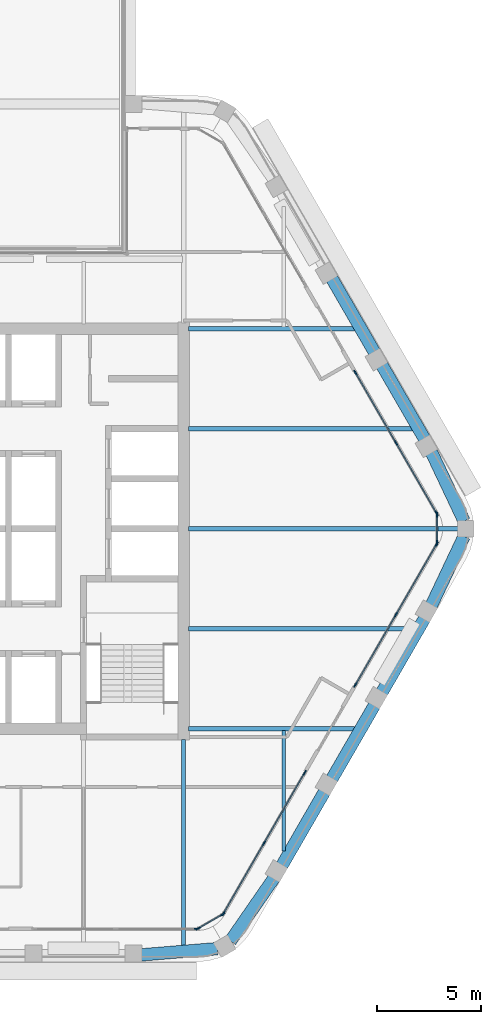
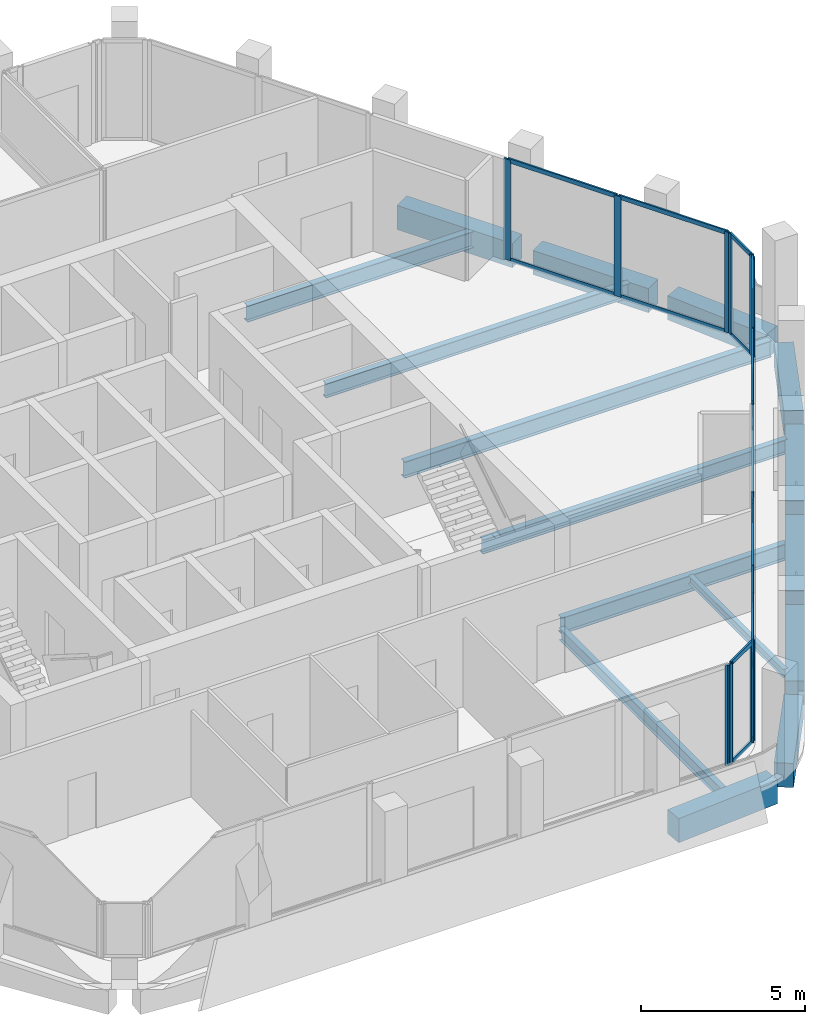
# One storey, part 4 of 16: 30 members, 16 beams, 6 elements without a shape of their own.
"""IFC4 building model written with IfcOpenShell, lengths in metres."""

from ifc_helpers import new_model, si_unit, direction, frame, origin, origin_2d, place, context, subcontext, project, spatial, rectangle, i_section, extrude, material, material_profile, profile_set, type_object, element, aggregate, save


model = new_model("IFC4")

# Units and contexts
model_context = context("Model", 3, precision=1e-05, world=origin(), true_north=direction((0.0, 1.0)))
body_context = subcontext(model_context, "Body", "Model", "MODEL_VIEW")
ifc_project = project(units=[si_unit("LENGTHUNIT", "METRE"), si_unit("AREAUNIT", "SQUARE_METRE"), si_unit("VOLUMEUNIT", "CUBIC_METRE"), si_unit("PLANEANGLEUNIT", "RADIAN"), si_unit("MASSUNIT", "GRAM", prefix="KILO")], contexts=[model_context])

# Site, building, storey
site_placement = place(None, origin())
site = spatial("IfcSite", under=ifc_project, at=site_placement, CompositionType="ELEMENT")
building_placement = place(site_placement, origin())
building = spatial("IfcBuilding", under=site, at=building_placement, Name="Kolab Exchange Tower", CompositionType="ELEMENT")
storey_placement = place(building_placement, frame((0.0, 0.0, 269.60009765625)))
storey = spatial("IfcBuildingStorey", under=building, at=storey_placement, Name="L60", CompositionType="ELEMENT", Elevation=269.60009765625)

# Beams
ifc_material_1 = material(Name="Steel S355", Category="steel")
ifc_material_profile_1 = material_profile(ifc_material_1, i_section(OverallWidth=0.1650390625, OverallDepth=0.31005859375, WebThickness=0.005859375, FlangeThickness=0.009765625, at=origin_2d()), Name="W310X39")
ifc_profile_set_1 = profile_set([ifc_material_profile_1], Name="Steel S355")
beam_type_1 = type_object("IfcBeamType", Name="FLOOR BEAM W310X39", PredefinedType="BEAM", material=ifc_profile_set_1)
beam_1_placement = place(storey_placement, frame((14.39990234375, -15.4677734375, -0.30517578125), z_axis=(0.0, 1.0, 0.0), x_axis=(-1.0, 0.0, 0.0)))
element("IfcBeam", 1, at=beam_1_placement, inside=storey, type_object=beam_type_1, Name="beam/L60/fr/018", PredefinedType="BEAM", context=body_context, shape_type="SweptSolid", body=[
    extrude(i_section(OverallWidth=0.1650390625, OverallDepth=0.31005859375, WebThickness=0.005859375, FlangeThickness=0.009765625, at=origin_2d()), origin(), (0.0, 0.0, 1.0), 5.793701171875),
])
ifc_material_profile_2 = material_profile(ifc_material_1, i_section(OverallWidth=0.18994140625, OverallDepth=0.45703125, WebThickness=0.009033203125, FlangeThickness=0.014404296875, at=origin_2d()), Name="W460X74")
ifc_profile_set_2 = profile_set([ifc_material_profile_2], Name="Steel S355")
beam_type_2 = type_object("IfcBeamType", Name="FLOOR BEAM W460X74", PredefinedType="BEAM", material=ifc_profile_set_2)
beam_2_placement = place(storey_placement, frame((9.60009765625, -20.027099609375, -0.378662109375), z_axis=(0.0, 1.0, 0.0), x_axis=(-1.0, 0.0, 0.0)))
element("IfcBeam", 2, at=beam_2_placement, inside=storey, type_object=beam_type_2, Name="beam/L60/fr/013", PredefinedType="BEAM", context=body_context, shape_type="SweptSolid", body=[
    extrude(i_section(OverallWidth=0.18994140625, OverallDepth=0.45703125, WebThickness=0.009033203125, FlangeThickness=0.014404296875, at=origin_2d()), origin(), (0.0, 0.0, 1.0), 9.9169921875),
])
ifc_material_profile_3 = material_profile(ifc_material_1, i_section(OverallWidth=0.208984375, OverallDepth=0.532958984375, WebThickness=0.01025390625, FlangeThickness=0.015625, at=origin_2d()), Name="W530X92")
ifc_profile_set_3 = profile_set([ifc_material_profile_3], Name="Steel S355")
beam_type_3 = type_object("IfcBeamType", Name="FLOOR BEAM W530X92", PredefinedType="BEAM", material=ifc_profile_set_3)
for number, where, z_axis, x_axis, name in (
    (3, (9.8349609375, -4.800048828125, -0.41650390625), (1.0, 0.0, 0.0), (0.0, 1.0, 0.0), "beam/L60/fr/015"),
    (4, (9.8349609375, 4.800048828125, -0.41650390625), (1.0, 0.0, 0.0), (0.0, 1.0, 0.0), "beam/L60/fr/017"),
):
    element("IfcBeam", number, at=place(storey_placement, frame(where, z_axis=z_axis, x_axis=x_axis)), inside=storey, type_object=beam_type_3, Name=name, PredefinedType="BEAM", context=body_context, shape_type="SweptSolid", body=[
        extrude(i_section(OverallWidth=0.208984375, OverallDepth=0.532958984375, WebThickness=0.01025390625, FlangeThickness=0.015625, at=origin_2d()), origin(), (0.0, 0.0, 1.0), 10.740966796875),
    ])
ifc_material_profile_4 = material_profile(ifc_material_1, i_section(OverallWidth=0.22802734375, OverallDepth=0.60791015625, WebThickness=0.01123046875, FlangeThickness=0.017333984375, at=origin_2d()), Name="W610X113")
ifc_profile_set_4 = profile_set([ifc_material_profile_4], Name="Steel S355")
beam_type_4 = type_object("IfcBeamType", Name="FLOOR BEAM W610X113", PredefinedType="BEAM", material=ifc_profile_set_4)
beam_3_placement = place(storey_placement, frame((9.8349609375, 0.0, -0.4541015625), z_axis=(1.0, 0.0, 0.0), x_axis=(0.0, 1.0, 0.0)))
element("IfcBeam", 5, at=beam_3_placement, inside=storey, type_object=beam_type_4, Name="beam/L60/fr/016", PredefinedType="BEAM", context=body_context, shape_type="SweptSolid", body=[
    extrude(i_section(OverallWidth=0.22802734375, OverallDepth=0.60791015625, WebThickness=0.01123046875, FlangeThickness=0.017333984375, at=origin_2d()), origin(), (0.0, 0.0, 1.0), 12.94091796875),
])
ifc_material_profile_5 = material_profile(ifc_material_1, i_section(OverallWidth=0.22802734375, OverallDepth=0.60791015625, WebThickness=0.01123046875, FlangeThickness=0.017333984375, at=origin_2d()), Name="W610X113")
ifc_profile_set_5 = profile_set([ifc_material_profile_5], Name="Steel S355")
beam_type_5 = type_object("IfcBeamType", Name="FLOOR GIRDER W610X113", PredefinedType="BEAM", material=ifc_profile_set_5)
for number, where, z_axis, x_axis, name in (
    (6, (9.8349609375, -9.60009765625, -0.4541015625), (1.0, 0.0, 0.0), (0.0, 1.0, 0.0), "beam/L60/gd/002"),
    (7, (9.8349609375, 9.60009765625, -0.4541015625), (1.0, 0.0, 0.0), (0.0, 1.0, 0.0), "beam/L60/gd/003"),
):
    element("IfcBeam", number, at=place(storey_placement, frame(where, z_axis=z_axis, x_axis=x_axis)), inside=storey, type_object=beam_type_5, Name=name, PredefinedType="BEAM", context=body_context, shape_type="SweptSolid", body=[
        extrude(i_section(OverallWidth=0.22802734375, OverallDepth=0.60791015625, WebThickness=0.01123046875, FlangeThickness=0.017333984375, at=origin_2d()), origin(), (0.0, 0.0, 1.0), 7.9697265625),
    ])
ifc_material_2 = material(Name="Concrete C50/60", Category="concrete")
ifc_material_profile_6 = material_profile(ifc_material_2, rectangle(XDim=0.60009765625, YDim=0.89990234375, at=origin_2d()), Name="RC600X900")
ifc_profile_set_6 = profile_set([ifc_material_profile_6], Name="Concrete C50/60")
beam_type_6 = type_object("IfcBeamType", Name="SPANDREL BEAM 600X900 C50/60", PredefinedType="BEAM", material=ifc_profile_set_6)
for number, where, z_axis, x_axis, name in (
    (8, (16.72021484375, 12.009033203125, -0.60009765625), (0.500000428765, -0.866025156237, 0.0), (0.866025156237, 0.500000428765, 0.0), "beam/L60/sp/F2-03"),
    (9, (19.1201171875, 7.85205078125, -0.60009765625), (0.500000428765, -0.866025156237, 0.0), (0.866025156237, 0.500000428765, 0.0), "beam/L60/sp/F2-04"),
):
    element("IfcBeam", number, at=place(storey_placement, frame(where, z_axis=z_axis, x_axis=x_axis)), inside=storey, type_object=beam_type_6, Name=name, PredefinedType="BEAM", context=body_context, shape_type="SweptSolid", body=[
        extrude(rectangle(XDim=0.60009765625, YDim=0.89990234375, at=origin_2d()), origin(), (0.0, 0.0, 1.0), 4.080078125),
    ])
for number, where, z_axis, x_axis, name in (
    (10, (21.49462890625, 3.68017578125, -0.60009765625), (0.427677251998, -0.903931506323, 0.0), (0.903931506323, 0.427677251998, 0.0), "beam/L60/sp/F2-05"),
    (11, (23.063720703125, -0.36376953125, -0.60009765625), (-0.427677251998, -0.903931506323, 0.0), (0.903931506323, -0.427677251998, 0.0), "beam/L60/sp/F3-01"),
):
    element("IfcBeam", number, at=place(storey_placement, frame(where, z_axis=z_axis, x_axis=x_axis)), inside=storey, type_object=beam_type_6, Name=name, PredefinedType="BEAM", context=body_context, shape_type="SweptSolid", body=[
        extrude(rectangle(XDim=0.60009765625, YDim=0.89990234375, at=origin_2d()), origin(), (0.0, 0.0, 1.0), 3.6689453125),
    ])
for number, where, z_axis, x_axis, name in (
    (12, (21.16015625, -4.318603515625, -0.60009765625), (-0.500000428765, -0.866025156237, 0.0), (0.866025156237, -0.500000428765, 0.0), "beam/L60/sp/F3-02"),
    (13, (18.76025390625, -8.4755859375, -0.60009765625), (-0.500000428765, -0.866025156237, 0.0), (0.866025156237, -0.500000428765, 0.0), "beam/L60/sp/F3-03"),
):
    element("IfcBeam", number, at=place(storey_placement, frame(where, z_axis=z_axis, x_axis=x_axis)), inside=storey, type_object=beam_type_6, Name=name, PredefinedType="BEAM", context=body_context, shape_type="SweptSolid", body=[
        extrude(rectangle(XDim=0.60009765625, YDim=0.89990234375, at=origin_2d()), origin(), (0.0, 0.0, 1.0), 4.080078125),
    ])
beam_4_placement = place(storey_placement, frame((16.360107421875, -12.632568359375, -0.60009765625), z_axis=(-0.499955548806, -0.866051066172, 0.0), x_axis=(0.866051066172, -0.499955548806, 0.0)))
element("IfcBeam", 14, at=beam_4_placement, inside=storey, type_object=beam_type_6, Name="beam/L60/sp/F3-04", PredefinedType="BEAM", context=body_context, shape_type="SweptSolid", body=[
    extrude(rectangle(XDim=0.60009765625, YDim=0.89990234375, at=origin_2d()), origin(), (0.0, 0.0, 1.0), 4.079833984375),
])
for number, where, z_axis, x_axis, name in (
    (15, (13.9345703125, -16.77490234375, -0.60009765625), (-0.569005808573, -0.822333502789, 0.0), (0.822333502789, -0.569005808573, 0.0), "beam/L60/sp/F3-05"),
    (16, (11.216796875, -20.15576171875, -0.60009765625), (-0.996666751878, -0.081580547323, 0.0), (0.081580547323, -0.996666751878, 0.0), "beam/L60/sp/F4-01"),
):
    element("IfcBeam", number, at=place(storey_placement, frame(where, z_axis=z_axis, x_axis=x_axis)), inside=storey, type_object=beam_type_6, Name=name, PredefinedType="BEAM", context=body_context, shape_type="SweptSolid", body=[
        extrude(rectangle(XDim=0.60009765625, YDim=0.89990234375, at=origin_2d()), origin(), (0.0, 0.0, 1.0), 3.6689453125),
    ])

# Curtain wall, members
ifc_material_3 = material(Name="Aluminium EN AW-6063 T6", Category="aluminium")
curtain_wall_type = type_object("IfcCurtainWallType", Name="UNITISED HIGH ZONE CURTAIN WALL", PredefinedType="NOTDEFINED", material=ifc_material_3)
curtain_wall_1_placement = place(storey_placement, origin())
curtain_wall_1 = element("IfcCurtainWall", 17, at=curtain_wall_1_placement, inside=storey, type_object=curtain_wall_type, Name="cw/L60/F2-2", PredefinedType="NOTDEFINED")
ifc_material_profile_7 = material_profile(ifc_material_3, rectangle(XDim=0.06005859375, YDim=0.239990234375, at=origin_2d()), Name="RECT 60X240")
ifc_profile_set_7 = profile_set([ifc_material_profile_7], Name="Aluminium EN AW-6063 T6")
member_type_1 = type_object("IfcMemberType", Name="UNITISED HIGH ZONE MULLION 60 X 240", PredefinedType="MULLION", material=ifc_profile_set_7)
member_1_placement = place(storey_placement, frame((17.8466796875, 7.497802734375, 0.0), z_axis=(0.0, 0.0, 1.0), x_axis=(0.866025440524, 0.499999936366, 0.0)))
member_1 = element("IfcMember", 18, at=member_1_placement, type_object=member_type_1, Name="CW4 mullion 1", PredefinedType="MULLION", context=body_context, shape_type="SweptSolid", body=[
    extrude(rectangle(XDim=0.06005859375, YDim=0.239990234375, at=origin_2d()), origin(), (0.0, 0.0, 1.0), 3.75),
])
member_2_placement = place(storey_placement, frame((19.798583984375, 4.116943359375, 0.0), z_axis=(0.0, 0.0, 1.0), x_axis=(0.866025440524, 0.499999936366, 0.0)))
member_2 = element("IfcMember", 19, at=member_2_placement, type_object=member_type_1, Name="CW4 mullion 2", PredefinedType="MULLION", context=body_context, shape_type="SweptSolid", body=[
    extrude(rectangle(XDim=0.06005859375, YDim=0.239990234375, at=origin_2d()), origin(), (0.0, 0.0, 1.0), 3.75),
])
member_3_placement = place(storey_placement, frame((21.750732421875, 0.736083984375, 0.0), z_axis=(0.0, 0.0, 1.0), x_axis=(0.866025440524, 0.499999936366, 0.0)))
member_3 = element("IfcMember", 20, at=member_3_placement, type_object=member_type_1, Name="CW4 mullion 3", PredefinedType="MULLION", context=body_context, shape_type="SweptSolid", body=[
    extrude(rectangle(XDim=0.06005859375, YDim=0.239990234375, at=origin_2d()), origin(), (0.0, 0.0, 1.0), 3.75),
])

curtain_wall_2_placement = place(storey_placement, origin())
curtain_wall_2 = element("IfcCurtainWall", 21, at=curtain_wall_2_placement, inside=storey, type_object=curtain_wall_type, Name="cw/L60/F3-1", PredefinedType="NOTDEFINED")
member_4_placement = place(storey_placement, frame((21.750732421875, -0.736083984375, 0.0), z_axis=(0.0, 0.0, 1.0), x_axis=(0.866025440524, -0.499999936366, 0.0)))
member_4 = element("IfcMember", 22, at=member_4_placement, type_object=member_type_1, Name="CW4 mullion 1", PredefinedType="MULLION", context=body_context, shape_type="SweptSolid", body=[
    extrude(rectangle(XDim=0.06005859375, YDim=0.239990234375, at=origin_2d()), origin(), (0.0, 0.0, 1.0), 3.75),
])
member_5_placement = place(storey_placement, frame((19.798583984375, -4.116943359375, 0.0), z_axis=(0.0, 0.0, 1.0), x_axis=(0.866025440524, -0.499999936366, 0.0)))
member_5 = element("IfcMember", 23, at=member_5_placement, type_object=member_type_1, Name="CW4 mullion 2", PredefinedType="MULLION", context=body_context, shape_type="SweptSolid", body=[
    extrude(rectangle(XDim=0.06005859375, YDim=0.239990234375, at=origin_2d()), origin(), (0.0, 0.0, 1.0), 3.75),
])
member_6_placement = place(storey_placement, frame((17.8466796875, -7.497802734375, 0.0), z_axis=(0.0, 0.0, 1.0), x_axis=(0.866025440524, -0.499999936366, 0.0)))
member_6 = element("IfcMember", 24, at=member_6_placement, type_object=member_type_1, Name="CW4 mullion 3", PredefinedType="MULLION", context=body_context, shape_type="SweptSolid", body=[
    extrude(rectangle(XDim=0.06005859375, YDim=0.239990234375, at=origin_2d()), origin(), (0.0, 0.0, 1.0), 3.75),
])

curtain_wall_3_placement = place(storey_placement, origin())
curtain_wall_3 = element("IfcCurtainWall", 25, at=curtain_wall_3_placement, inside=storey, type_object=curtain_wall_type, Name="cw/L60/F3-2", PredefinedType="NOTDEFINED")
member_7_placement = place(storey_placement, frame((15.416748046875, -11.706787109375, 0.0), z_axis=(0.0, 0.0, 1.0), x_axis=(0.866025385493, -0.500000031681, 0.0)))
member_7 = element("IfcMember", 26, at=member_7_placement, type_object=member_type_1, Name="CW4 mullion 1", PredefinedType="MULLION", context=body_context, shape_type="SweptSolid", body=[
    extrude(rectangle(XDim=0.06005859375, YDim=0.239990234375, at=origin_2d()), origin(), (0.0, 0.0, 1.0), 3.75),
])
member_8_placement = place(storey_placement, frame((13.464599609375, -15.087646484375, 0.0), z_axis=(0.0, 0.0, 1.0), x_axis=(0.866025385493, -0.500000031681, 0.0)))
member_8 = element("IfcMember", 27, at=member_8_placement, type_object=member_type_1, Name="CW4 mullion 2", PredefinedType="MULLION", context=body_context, shape_type="SweptSolid", body=[
    extrude(rectangle(XDim=0.06005859375, YDim=0.239990234375, at=origin_2d()), origin(), (0.0, 0.0, 1.0), 3.75),
])
member_9_placement = place(storey_placement, frame((11.5126953125, -18.46875, 0.0), z_axis=(0.0, 0.0, 1.0), x_axis=(0.866025385493, -0.500000031681, 0.0)))
member_9 = element("IfcMember", 28, at=member_9_placement, type_object=member_type_1, Name="CW4 mullion 3", PredefinedType="MULLION", context=body_context, shape_type="SweptSolid", body=[
    extrude(rectangle(XDim=0.06005859375, YDim=0.239990234375, at=origin_2d()), origin(), (0.0, 0.0, 1.0), 3.75),
])

# Curtain wall, member
curtain_wall_4_placement = place(storey_placement, origin())
curtain_wall_4 = element("IfcCurtainWall", 29, at=curtain_wall_4_placement, inside=storey, type_object=curtain_wall_type, Name="cw/L60/F4-1", PredefinedType="NOTDEFINED")
member_10_placement = place(storey_placement, frame((10.238037109375, -19.20458984375, 0.0), z_axis=(0.0, 0.0, 1.0), x_axis=(0.0, -1.0, 0.0)))
member_10 = element("IfcMember", 30, at=member_10_placement, type_object=member_type_1, Name="CW4 mullion 1", PredefinedType="MULLION", context=body_context, shape_type="SweptSolid", body=[
    extrude(rectangle(XDim=0.06005859375, YDim=0.239990234375, at=origin_2d()), origin(), (0.0, 0.0, 1.0), 3.75),
])
aggregate(curtain_wall_4, [member_10])

# Curtain wall, members
curtain_wall_5_placement = place(storey_placement, origin())
curtain_wall_5 = element("IfcCurtainWall", 31, at=curtain_wall_5_placement, inside=storey, type_object=curtain_wall_type, Name="cw/L60/F2F3-corner", PredefinedType="NOTDEFINED")
member_11_placement = place(storey_placement, frame((21.765625, 0.679931640625, 0.0), z_axis=(0.0, 0.0, 1.0), x_axis=(1.0, 0.0, 0.0)))
member_11 = element("IfcMember", 32, at=member_11_placement, type_object=member_type_1, Name="CW4 mullion 1", PredefinedType="MULLION", context=body_context, shape_type="SweptSolid", body=[
    extrude(rectangle(XDim=0.06005859375, YDim=0.239990234375, at=origin_2d()), origin(), (0.0, 0.0, 1.0), 3.75),
])
member_12_placement = place(storey_placement, frame((21.765625, -0.679931640625, 0.0), z_axis=(0.0, 0.0, 1.0), x_axis=(1.0, 0.0, 0.0)))
member_12 = element("IfcMember", 33, at=member_12_placement, type_object=member_type_1, Name="CW4 mullion 2", PredefinedType="MULLION", context=body_context, shape_type="SweptSolid", body=[
    extrude(rectangle(XDim=0.06005859375, YDim=0.239990234375, at=origin_2d()), origin(), (0.0, 0.0, 1.0), 3.75),
])

curtain_wall_6_placement = place(storey_placement, origin())
curtain_wall_6 = element("IfcCurtainWall", 34, at=curtain_wall_6_placement, inside=storey, type_object=curtain_wall_type, Name="cw/L60/F3F4-corner", PredefinedType="NOTDEFINED")
member_13_placement = place(storey_placement, frame((11.4716796875, -18.509521484375, 0.0), z_axis=(0.0, 0.0, 1.0), x_axis=(0.50000002237, -0.866025390869, 0.0)))
member_13 = element("IfcMember", 35, at=member_13_placement, type_object=member_type_1, Name="CW4 mullion 1", PredefinedType="MULLION", context=body_context, shape_type="SweptSolid", body=[
    extrude(rectangle(XDim=0.06005859375, YDim=0.239990234375, at=origin_2d()), origin(), (0.0, 0.0, 1.0), 3.75),
])
member_14_placement = place(storey_placement, frame((10.2939453125, -19.189697265625, 0.0), z_axis=(0.0, 0.0, 1.0), x_axis=(0.50000002237, -0.866025390869, 0.0)))
member_14 = element("IfcMember", 36, at=member_14_placement, type_object=member_type_1, Name="CW4 mullion 2", PredefinedType="MULLION", context=body_context, shape_type="SweptSolid", body=[
    extrude(rectangle(XDim=0.06005859375, YDim=0.239990234375, at=origin_2d()), origin(), (0.0, 0.0, 1.0), 3.75),
])

# Member
ifc_material_profile_8 = material_profile(ifc_material_3, rectangle(XDim=0.06005859375, YDim=0.159912109375, at=origin_2d()), Name="RECT 60X160")
ifc_profile_set_8 = profile_set([ifc_material_profile_8], Name="Aluminium EN AW-6063 T6")
member_type_2 = type_object("IfcMemberType", Name="UNITISED HIGH ZONE TRANSOM 60 X 160", PredefinedType="USERDEFINED", material=ifc_profile_set_8)
member_15_placement = place(storey_placement, frame((17.861572265625, 7.471923828125, 0.02978515625), z_axis=(0.500011990396, -0.866018481016, 0.0), x_axis=(0.866018481016, 0.500011990396, 0.0)))
member_15 = element("IfcMember", 37, at=member_15_placement, type_object=member_type_2, Name="CW4 transom 1.1", ObjectType="TRANSOM", PredefinedType="USERDEFINED", context=body_context, shape_type="SweptSolid", body=[
    extrude(rectangle(XDim=0.06005859375, YDim=0.159912109375, at=origin_2d()), origin(), (0.0, 0.0, 1.0), 3.84423828125),
])

member_16_placement = place(storey_placement, frame((17.861572265625, 7.471923828125, 3.719970703125), z_axis=(0.500011990396, -0.866018481016, 0.0), x_axis=(0.866018481016, 0.500011990396, 0.0)))
member_16 = element("IfcMember", 38, at=member_16_placement, type_object=member_type_2, Name="CW4 transom 1.2", ObjectType="TRANSOM", PredefinedType="USERDEFINED", context=body_context, shape_type="SweptSolid", body=[
    extrude(rectangle(XDim=0.06005859375, YDim=0.159912109375, at=origin_2d()), origin(), (0.0, 0.0, 1.0), 3.84423828125),
])

member_17_placement = place(storey_placement, frame((19.813720703125, 4.0908203125, 0.02978515625), z_axis=(0.499991857942, -0.866030104553, 0.0), x_axis=(0.866030104553, 0.499991857942, 0.0)))
member_17 = element("IfcMember", 39, at=member_17_placement, type_object=member_type_2, Name="CW4 transom 2.1", ObjectType="TRANSOM", PredefinedType="USERDEFINED", context=body_context, shape_type="SweptSolid", body=[
    extrude(rectangle(XDim=0.06005859375, YDim=0.159912109375, at=origin_2d()), origin(), (0.0, 0.0, 1.0), 3.84375),
])

member_18_placement = place(storey_placement, frame((19.813720703125, 4.0908203125, 3.719970703125), z_axis=(0.499991857942, -0.866030104553, 0.0), x_axis=(0.866030104553, 0.499991857942, 0.0)))
member_18 = element("IfcMember", 40, at=member_18_placement, type_object=member_type_2, Name="CW4 transom 2.2", ObjectType="TRANSOM", PredefinedType="USERDEFINED", context=body_context, shape_type="SweptSolid", body=[
    extrude(rectangle(XDim=0.06005859375, YDim=0.159912109375, at=origin_2d()), origin(), (0.0, 0.0, 1.0), 3.84375),
])

aggregate(curtain_wall_1, [member_1, member_2, member_3, member_15, member_16, member_17, member_18])

member_19_placement = place(storey_placement, frame((21.735595703125, -0.761962890625, 0.02978515625), z_axis=(-0.499991857942, -0.866030104553, 0.0), x_axis=(0.866030104553, -0.499991857942, 0.0)))
member_19 = element("IfcMember", 41, at=member_19_placement, type_object=member_type_2, Name="CW4 transom 1.1", ObjectType="TRANSOM", PredefinedType="USERDEFINED", context=body_context, shape_type="SweptSolid", body=[
    extrude(rectangle(XDim=0.06005859375, YDim=0.159912109375, at=origin_2d()), origin(), (0.0, 0.0, 1.0), 3.84375),
])

member_20_placement = place(storey_placement, frame((21.735595703125, -0.761962890625, 3.719970703125), z_axis=(-0.499991857942, -0.866030104553, 0.0), x_axis=(0.866030104553, -0.499991857942, 0.0)))
member_20 = element("IfcMember", 42, at=member_20_placement, type_object=member_type_2, Name="CW4 transom 1.2", ObjectType="TRANSOM", PredefinedType="USERDEFINED", context=body_context, shape_type="SweptSolid", body=[
    extrude(rectangle(XDim=0.06005859375, YDim=0.159912109375, at=origin_2d()), origin(), (0.0, 0.0, 1.0), 3.84375),
])

member_21_placement = place(storey_placement, frame((19.78369140625, -4.142822265625, 0.02978515625), z_axis=(-0.500011990396, -0.866018481016, 0.0), x_axis=(0.866018481016, -0.500011990396, 0.0)))
member_21 = element("IfcMember", 43, at=member_21_placement, type_object=member_type_2, Name="CW4 transom 2.1", ObjectType="TRANSOM", PredefinedType="USERDEFINED", context=body_context, shape_type="SweptSolid", body=[
    extrude(rectangle(XDim=0.06005859375, YDim=0.159912109375, at=origin_2d()), origin(), (0.0, 0.0, 1.0), 3.84423828125),
])

member_22_placement = place(storey_placement, frame((19.78369140625, -4.142822265625, 3.719970703125), z_axis=(-0.500011990396, -0.866018481016, 0.0), x_axis=(0.866018481016, -0.500011990396, 0.0)))
member_22 = element("IfcMember", 44, at=member_22_placement, type_object=member_type_2, Name="CW4 transom 2.2", ObjectType="TRANSOM", PredefinedType="USERDEFINED", context=body_context, shape_type="SweptSolid", body=[
    extrude(rectangle(XDim=0.06005859375, YDim=0.159912109375, at=origin_2d()), origin(), (0.0, 0.0, 1.0), 3.84423828125),
])

aggregate(curtain_wall_2, [member_4, member_5, member_6, member_19, member_20, member_21, member_22])

member_23_placement = place(storey_placement, frame((15.401611328125, -11.732666015625, 0.02978515625), z_axis=(-0.499964356602, -0.866045981532, 0.0), x_axis=(0.866045981532, -0.499964356602, 0.0)))
member_23 = element("IfcMember", 45, at=member_23_placement, type_object=member_type_2, Name="CW4 transom 1.1", ObjectType="TRANSOM", PredefinedType="USERDEFINED", context=body_context, shape_type="SweptSolid", body=[
    extrude(rectangle(XDim=0.06005859375, YDim=0.159912109375, at=origin_2d()), origin(), (0.0, 0.0, 1.0), 3.843994140625),
])

member_24_placement = place(storey_placement, frame((15.401611328125, -11.732666015625, 3.719970703125), z_axis=(-0.499964356602, -0.866045981532, 0.0), x_axis=(0.866045981532, -0.499964356602, 0.0)))
member_24 = element("IfcMember", 46, at=member_24_placement, type_object=member_type_2, Name="CW4 transom 1.2", ObjectType="TRANSOM", PredefinedType="USERDEFINED", context=body_context, shape_type="SweptSolid", body=[
    extrude(rectangle(XDim=0.06005859375, YDim=0.159912109375, at=origin_2d()), origin(), (0.0, 0.0, 1.0), 3.843994140625),
])

member_25_placement = place(storey_placement, frame((13.44970703125, -15.11376953125, 0.02978515625), z_axis=(-0.500039492609, -0.866002601515, 0.0), x_axis=(0.866002601515, -0.500039492609, 0.0)))
member_25 = element("IfcMember", 47, at=member_25_placement, type_object=member_type_2, Name="CW4 transom 2.1", ObjectType="TRANSOM", PredefinedType="USERDEFINED", context=body_context, shape_type="SweptSolid", body=[
    extrude(rectangle(XDim=0.06005859375, YDim=0.159912109375, at=origin_2d()), origin(), (0.0, 0.0, 1.0), 3.843994140625),
])

member_26_placement = place(storey_placement, frame((13.44970703125, -15.11376953125, 3.719970703125), z_axis=(-0.500039492609, -0.866002601515, 0.0), x_axis=(0.866002601515, -0.500039492609, 0.0)))
member_26 = element("IfcMember", 48, at=member_26_placement, type_object=member_type_2, Name="CW4 transom 2.2", ObjectType="TRANSOM", PredefinedType="USERDEFINED", context=body_context, shape_type="SweptSolid", body=[
    extrude(rectangle(XDim=0.06005859375, YDim=0.159912109375, at=origin_2d()), origin(), (0.0, 0.0, 1.0), 3.843994140625),
])

aggregate(curtain_wall_3, [member_7, member_8, member_9, member_23, member_24, member_25, member_26])

member_27_placement = place(storey_placement, frame((21.765625, 0.64990234375, 0.02978515625), z_axis=(0.0, -1.0, 0.0), x_axis=(1.0, 0.0, 0.0)))
member_27 = element("IfcMember", 49, at=member_27_placement, type_object=member_type_2, Name="CW4 transom 1.1", ObjectType="TRANSOM", PredefinedType="USERDEFINED", context=body_context, shape_type="SweptSolid", body=[
    extrude(rectangle(XDim=0.06005859375, YDim=0.159912109375, at=origin_2d()), origin(), (0.0, 0.0, 1.0), 1.2998046875),
])

member_28_placement = place(storey_placement, frame((21.765625, 0.64990234375, 3.719970703125), z_axis=(0.0, -1.0, 0.0), x_axis=(1.0, 0.0, 0.0)))
member_28 = element("IfcMember", 50, at=member_28_placement, type_object=member_type_2, Name="CW4 transom 1.2", ObjectType="TRANSOM", PredefinedType="USERDEFINED", context=body_context, shape_type="SweptSolid", body=[
    extrude(rectangle(XDim=0.06005859375, YDim=0.159912109375, at=origin_2d()), origin(), (0.0, 0.0, 1.0), 1.2998046875),
])

aggregate(curtain_wall_5, [member_11, member_12, member_27, member_28])

member_29_placement = place(storey_placement, frame((11.44580078125, -18.524658203125, 0.02978515625), z_axis=(-0.866085525409, -0.49989585183, 0.0), x_axis=(0.49989585183, -0.866085525409, 0.0)))
member_29 = element("IfcMember", 51, at=member_29_placement, type_object=member_type_2, Name="CW4 transom 1.1", ObjectType="TRANSOM", PredefinedType="USERDEFINED", context=body_context, shape_type="SweptSolid", body=[
    extrude(rectangle(XDim=0.06005859375, YDim=0.159912109375, at=origin_2d()), origin(), (0.0, 0.0, 1.0), 1.300048828125),
])

member_30_placement = place(storey_placement, frame((11.44580078125, -18.524658203125, 3.719970703125), z_axis=(-0.866085525409, -0.49989585183, 0.0), x_axis=(0.49989585183, -0.866085525409, 0.0)))
member_30 = element("IfcMember", 52, at=member_30_placement, type_object=member_type_2, Name="CW4 transom 1.2", ObjectType="TRANSOM", PredefinedType="USERDEFINED", context=body_context, shape_type="SweptSolid", body=[
    extrude(rectangle(XDim=0.06005859375, YDim=0.159912109375, at=origin_2d()), origin(), (0.0, 0.0, 1.0), 1.300048828125),
])

aggregate(curtain_wall_6, [member_13, member_14, member_29, member_30])

save(model, "model.ifc")
